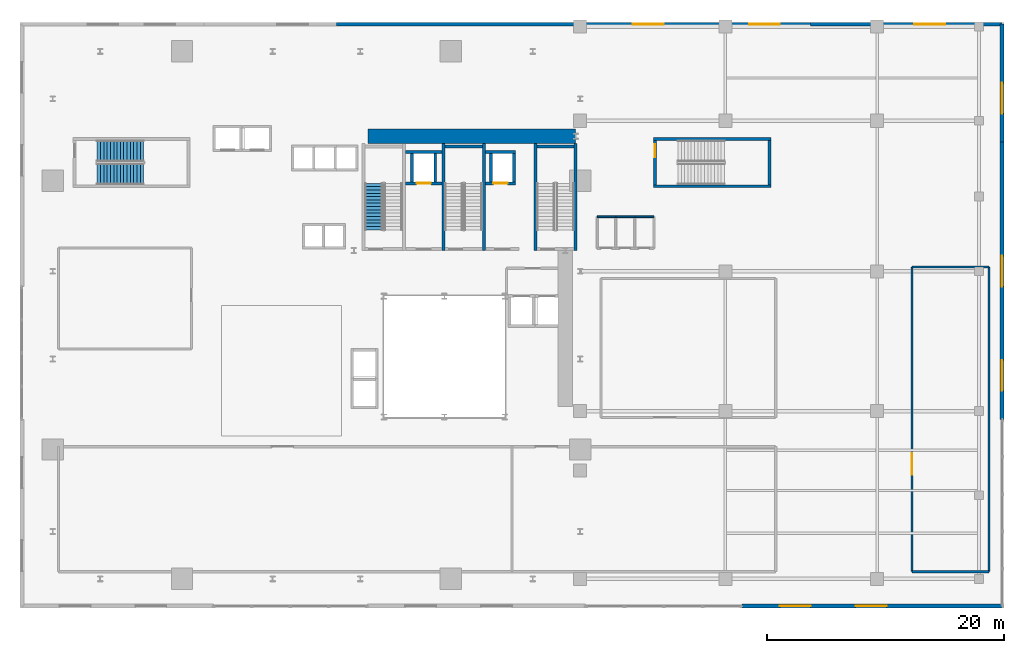
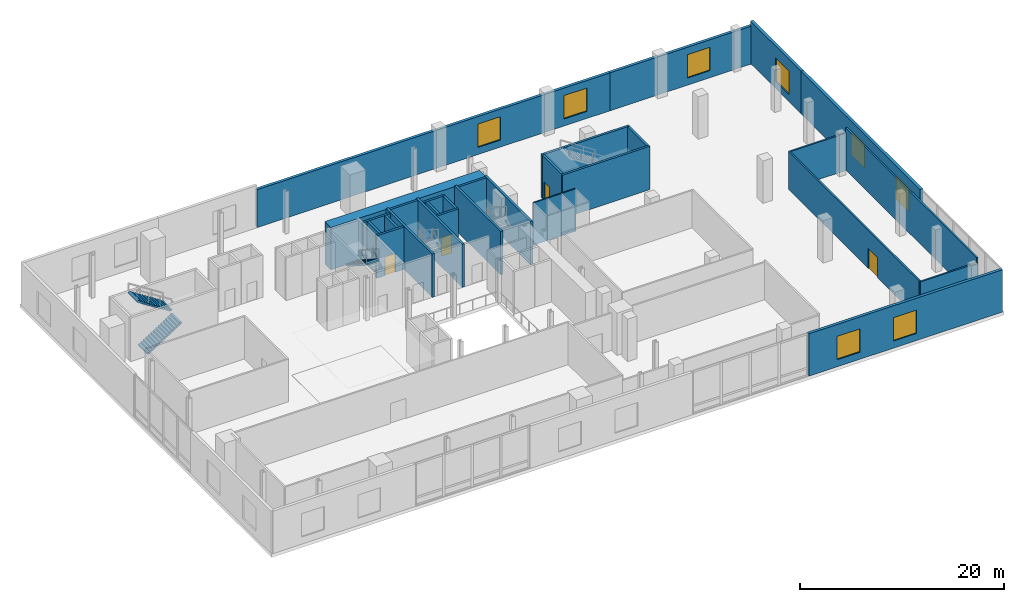
# One storey, part 8 of 12: 31 walls, 8 windows, 4 doors, 3 stair flights, 12 openings, 2 elements without a shape of their own.
"""IFC4 building model written with IfcOpenShell, lengths in metres."""

from ifc_helpers import new_model, si_unit, direction, frame, frame_2d, origin, place, context, subcontext, project, spatial, polyline, rectangle, outline, extrude, source, transform, mapped, material, layer, layer_set, type_object, element, fill, aggregate, save


model = new_model("IFC4")

# Units and contexts
model_context = context("Model", 3, precision=1e-05, world=origin(), true_north=direction((0.0, 1.0)))
body_context = subcontext(model_context, "Body", "Model", "MODEL_VIEW")
ifc_project = project(units=[si_unit("LENGTHUNIT", "METRE"), si_unit("AREAUNIT", "SQUARE_METRE"), si_unit("VOLUMEUNIT", "CUBIC_METRE"), si_unit("PLANEANGLEUNIT", "RADIAN"), si_unit("MASSUNIT", "GRAM", prefix="KILO")], contexts=[model_context])

# Site, building, storey
site_placement = place(None, origin())
site = spatial("IfcSite", under=ifc_project, at=site_placement, CompositionType="ELEMENT")
building_placement = place(site_placement, origin())
building = spatial("IfcBuilding", under=site, at=building_placement, Name="Vardaveli Station Tower", CompositionType="ELEMENT")
storey_placement = place(building_placement, frame((0.0, 0.0, 17.0)))
storey = spatial("IfcBuildingStorey", under=building, at=storey_placement, Name="L04", CompositionType="ELEMENT", Elevation=17.0)

# Wall
ifc_material_1 = material(Name="Concrete C70/85", Category="concrete")
ifc_layer_1 = layer(ifc_material_1, 1.199951171875, Name="Concrete C70/85")
ifc_layer_set_1 = layer_set([ifc_layer_1], Name="Concrete C70/85")
wall_type_1 = type_object("IfcWallType", Name="WAL-CORE-1200", PredefinedType="SHEAR", material=ifc_layer_set_1)
shared_shape_1 = source(origin(), body_context, "Body", "SweptSolid", [
    extrude(rectangle(XDim=17.52001953125, YDim=1.199951171875, at=frame_2d((8.760009765625, 0.0))), origin(), (0.0, 0.0, 1.0), 5.080078125),
])
wall_1_placement = place(storey_placement, frame((29.85009765625, 40.300048828125, 0.0), z_axis=(0.0, 0.0, 1.0), x_axis=(1.0, 0.0, 0.0)))
element("IfcWall", 1, at=wall_1_placement, inside=storey, type_object=wall_type_1, Name="SW-L04-NORTH", PredefinedType="SHEAR", context=body_context, shape_type="MappedRepresentation", body=[
    mapped(shared_shape_1, transform((0.0, 0.0, 0.0), scale=1.0)),
])

# Wall, openings, windows
ifc_material_2 = material(Name="Precast concrete C45/55", Category="concrete")
ifc_layer_2 = layer(ifc_material_2, 0.320068359375, Name="Precast concrete C45/55")
ifc_layer_set_2 = layer_set([ifc_layer_2], Name="Precast concrete C45/55")
wall_type_2 = type_object("IfcWallType", Name="WAL-EXT-STONE-320", PredefinedType="SOLIDWALL", material=ifc_layer_set_2)
shared_shape_2 = source(origin(), body_context, "Body", "SweptSolid", [
    extrude(rectangle(XDim=21.9501953125, YDim=0.320068359375, at=frame_2d((10.97509765625, 0.0))), origin(), (0.0, 0.0, 1.0), 5.080078125),
])
wall_2_placement = place(storey_placement, frame((61.39990234375, 0.64990234375, 0.0), z_axis=(0.0, 0.0, 1.0), x_axis=(1.0, 0.0, 0.0)))
wall_2 = element("IfcWall", 2, at=wall_2_placement, inside=storey, type_object=wall_type_2, Name="EW-L04-S5", PredefinedType="SOLIDWALL", context=body_context, shape_type="MappedRepresentation", body=[
    mapped(shared_shape_2, transform((0.0, 0.0, 0.0), scale=1.0)),
])
shared_shape_3 = source(origin(), body_context, "Body", "SweptSolid", [
    extrude(rectangle(XDim=2.60009765625, YDim=2.800048828125, at=frame_2d((1.300048828125, 1.39990234375))), frame((0.0, 0.169921875, 0.0), z_axis=(0.0, -1.0, 0.0), x_axis=(1.0, 0.0, 0.0)), (0.0, 0.0, 1.0), 0.340087890625),
])
opening_1_placement = place(wall_2_placement, frame((3.199951171875, 0.0, 0.85009765625)))
opening_1 = element("IfcOpeningElement", 3, at=opening_1_placement, cuts=wall_2, Name="Opening W-02", PredefinedType="OPENING", context=body_context, shape_type="MappedRepresentation", body=[
    mapped(shared_shape_3, transform((0.0, 0.0, 0.0), scale=1.0)),
])
opening_2_placement = place(wall_2_placement, frame((9.60009765625, 0.0, 0.85009765625)))
opening_2 = element("IfcOpeningElement", 4, at=opening_2_placement, cuts=wall_2, Name="Opening W-02", PredefinedType="OPENING", context=body_context, shape_type="MappedRepresentation", body=[
    mapped(shared_shape_3, transform((0.0, 0.0, 0.0), scale=1.0)),
])
ifc_material_3 = material(Name="Low-E solar-control glass", Category="glass")
window_type = type_object("IfcWindowType", Name="WIN-POD-2600x2800", PartitioningType="SINGLE_PANEL", PredefinedType="WINDOW", material=ifc_material_3)
shared_shape_4 = source(origin(), body_context, "Body", "SweptSolid", [
    extrude(rectangle(XDim=2.60009765625, YDim=2.800048828125, at=frame_2d((1.300048828125, 1.39990234375))), frame((0.0, 0.030029296875, 0.0), z_axis=(0.0, -1.0, 0.0), x_axis=(1.0, 0.0, 0.0)), (0.0, 0.0, 1.0), 0.06005859375),
])
window_1_placement = place(opening_1_placement, origin())
window_1 = element("IfcWindow", 5, at=window_1_placement, inside=storey, type_object=window_type, Name="WN-L04-S5A", OverallHeight=2.800048828125, OverallWidth=2.60009765625, PartitioningType="SINGLE_PANEL", PredefinedType="WINDOW", context=body_context, shape_type="MappedRepresentation", body=[
    mapped(shared_shape_4, transform((0.0, 0.0, 0.0), scale=1.0)),
])
fill(opening_1, window_1)
window_2_placement = place(opening_2_placement, origin())
window_2 = element("IfcWindow", 6, at=window_2_placement, inside=storey, type_object=window_type, Name="WN-L04-S5B", OverallHeight=2.800048828125, OverallWidth=2.60009765625, PartitioningType="SINGLE_PANEL", PredefinedType="WINDOW", context=body_context, shape_type="MappedRepresentation", body=[
    mapped(shared_shape_4, transform((0.0, 0.0, 0.0), scale=1.0)),
])
fill(opening_2, window_2)

shared_shape_5 = source(origin(), body_context, "Body", "SweptSolid", [
    extrude(rectangle(XDim=40.0, YDim=0.320068359375, at=frame_2d((20.0, 0.0))), origin(), (0.0, 0.0, 1.0), 4.551025390625),
])
wall_3_placement = place(storey_placement, frame((67.199951171875, 49.75, 0.0), z_axis=(0.0, 0.0, 1.0), x_axis=(-1.0, 0.0, 0.0)))
wall_3 = element("IfcWall", 7, at=wall_3_placement, inside=storey, type_object=wall_type_2, Name="EW-L04-N3", PredefinedType="SOLIDWALL", context=body_context, shape_type="MappedRepresentation", body=[
    mapped(shared_shape_5, transform((0.0, 0.0, 0.0), scale=1.0)),
])
opening_3_placement = place(wall_3_placement, frame((2.60009765625, 0.0, 0.85009765625)))
opening_3 = element("IfcOpeningElement", 8, at=opening_3_placement, cuts=wall_3, Name="Opening W-02", PredefinedType="OPENING", context=body_context, shape_type="MappedRepresentation", body=[
    mapped(shared_shape_3, transform((0.0, 0.0, 0.0), scale=1.0)),
])
opening_4_placement = place(wall_3_placement, frame((12.39990234375, 0.0, 0.85009765625)))
opening_4 = element("IfcOpeningElement", 9, at=opening_4_placement, cuts=wall_3, Name="Opening W-02", PredefinedType="OPENING", context=body_context, shape_type="MappedRepresentation", body=[
    mapped(shared_shape_3, transform((0.0, 0.0, 0.0), scale=1.0)),
])
window_3_placement = place(opening_3_placement, origin())
window_3 = element("IfcWindow", 10, at=window_3_placement, inside=storey, type_object=window_type, Name="WN-L04-N3A", OverallHeight=2.800048828125, OverallWidth=2.60009765625, PartitioningType="SINGLE_PANEL", PredefinedType="WINDOW", context=body_context, shape_type="MappedRepresentation", body=[
    mapped(shared_shape_4, transform((0.0, 0.0, 0.0), scale=1.0)),
])
fill(opening_3, window_3)
window_4_placement = place(opening_4_placement, origin())
window_4 = element("IfcWindow", 11, at=window_4_placement, inside=storey, type_object=window_type, Name="WN-L04-N3B", OverallHeight=2.800048828125, OverallWidth=2.60009765625, PartitioningType="SINGLE_PANEL", PredefinedType="WINDOW", context=body_context, shape_type="MappedRepresentation", body=[
    mapped(shared_shape_4, transform((0.0, 0.0, 0.0), scale=1.0)),
])
fill(opening_4, window_4)

# Wall, opening, window
shared_shape_6 = source(origin(), body_context, "Body", "SweptSolid", [
    extrude(rectangle(XDim=16.150146484375, YDim=0.320068359375, at=frame_2d((8.0751953125, 0.0))), origin(), (0.0, 0.0, 1.0), 4.551025390625),
])
wall_4_placement = place(storey_placement, frame((83.35009765625, 49.75, 0.0), z_axis=(0.0, 0.0, 1.0), x_axis=(-1.0, 0.0, 0.0)))
wall_4 = element("IfcWall", 12, at=wall_4_placement, inside=storey, type_object=wall_type_2, Name="EW-L04-N4", PredefinedType="SOLIDWALL", context=body_context, shape_type="MappedRepresentation", body=[
    mapped(shared_shape_6, transform((0.0, 0.0, 0.0), scale=1.0)),
])
opening_5_placement = place(wall_4_placement, frame((4.800048828125, 0.0, 0.85009765625)))
opening_5 = element("IfcOpeningElement", 13, at=opening_5_placement, cuts=wall_4, Name="Opening W-02", PredefinedType="OPENING", context=body_context, shape_type="MappedRepresentation", body=[
    mapped(shared_shape_3, transform((0.0, 0.0, 0.0), scale=1.0)),
])
window_5_placement = place(opening_5_placement, origin())
window_5 = element("IfcWindow", 14, at=window_5_placement, inside=storey, type_object=window_type, Name="WN-L04-N4A", OverallHeight=2.800048828125, OverallWidth=2.60009765625, PartitioningType="SINGLE_PANEL", PredefinedType="WINDOW", context=body_context, shape_type="MappedRepresentation", body=[
    mapped(shared_shape_4, transform((0.0, 0.0, 0.0), scale=1.0)),
])
fill(opening_5, window_5)

# Wall, openings, windows
shared_shape_7 = source(origin(), body_context, "Body", "SweptSolid", [
    extrude(rectangle(XDim=23.400146484375, YDim=0.320068359375, at=frame_2d((11.7001953125, 0.0))), origin(), (0.0, 0.0, 1.0), 5.080078125),
])
wall_5_placement = place(storey_placement, frame((83.35009765625, 16.39990234375, 0.0), z_axis=(0.0, 0.0, 1.0), x_axis=(0.0, 1.0, 0.0)))
wall_5 = element("IfcWall", 15, at=wall_5_placement, inside=storey, type_object=wall_type_2, Name="EW-L04-E2", PredefinedType="SOLIDWALL", context=body_context, shape_type="MappedRepresentation", body=[
    mapped(shared_shape_7, transform((0.0, 0.0, 0.0), scale=1.0)),
])
opening_6_placement = place(wall_5_placement, frame((2.39990234375, 0.0, 0.85009765625)))
opening_6 = element("IfcOpeningElement", 16, at=opening_6_placement, cuts=wall_5, Name="Opening W-02", PredefinedType="OPENING", context=body_context, shape_type="MappedRepresentation", body=[
    mapped(shared_shape_3, transform((0.0, 0.0, 0.0), scale=1.0)),
])
opening_7_placement = place(wall_5_placement, frame((11.199951171875, 0.0, 0.85009765625)))
opening_7 = element("IfcOpeningElement", 17, at=opening_7_placement, cuts=wall_5, Name="Opening W-02", PredefinedType="OPENING", context=body_context, shape_type="MappedRepresentation", body=[
    mapped(shared_shape_3, transform((0.0, 0.0, 0.0), scale=1.0)),
])
window_6_placement = place(opening_6_placement, origin())
window_6 = element("IfcWindow", 18, at=window_6_placement, inside=storey, type_object=window_type, Name="WN-L04-E2A", OverallHeight=2.800048828125, OverallWidth=2.60009765625, PartitioningType="SINGLE_PANEL", PredefinedType="WINDOW", context=body_context, shape_type="MappedRepresentation", body=[
    mapped(shared_shape_4, transform((0.0, 0.0, 0.0), scale=1.0)),
])
fill(opening_6, window_6)
window_7_placement = place(opening_7_placement, origin())
window_7 = element("IfcWindow", 19, at=window_7_placement, inside=storey, type_object=window_type, Name="WN-L04-E2B", OverallHeight=2.800048828125, OverallWidth=2.60009765625, PartitioningType="SINGLE_PANEL", PredefinedType="WINDOW", context=body_context, shape_type="MappedRepresentation", body=[
    mapped(shared_shape_4, transform((0.0, 0.0, 0.0), scale=1.0)),
])
fill(opening_7, window_7)

# Wall, opening, window
shared_shape_8 = source(origin(), body_context, "Body", "SweptSolid", [
    extrude(rectangle(XDim=9.949951171875, YDim=0.320068359375, at=frame_2d((4.97509765625, 0.0))), origin(), (0.0, 0.0, 1.0), 5.080078125),
])
wall_6_placement = place(storey_placement, frame((83.35009765625, 39.800048828125, 0.0), z_axis=(0.0, 0.0, 1.0), x_axis=(0.0, 1.0, 0.0)))
wall_6 = element("IfcWall", 20, at=wall_6_placement, inside=storey, type_object=wall_type_2, Name="EW-L04-E3", PredefinedType="SOLIDWALL", context=body_context, shape_type="MappedRepresentation", body=[
    mapped(shared_shape_8, transform((0.0, 0.0, 0.0), scale=1.0)),
])
opening_8_placement = place(wall_6_placement, frame((2.39990234375, 0.0, 0.85009765625)))
opening_8 = element("IfcOpeningElement", 21, at=opening_8_placement, cuts=wall_6, Name="Opening W-02", PredefinedType="OPENING", context=body_context, shape_type="MappedRepresentation", body=[
    mapped(shared_shape_3, transform((0.0, 0.0, 0.0), scale=1.0)),
])
window_8_placement = place(opening_8_placement, origin())
window_8 = element("IfcWindow", 22, at=window_8_placement, inside=storey, type_object=window_type, Name="WN-L04-E3A", OverallHeight=2.800048828125, OverallWidth=2.60009765625, PartitioningType="SINGLE_PANEL", PredefinedType="WINDOW", context=body_context, shape_type="MappedRepresentation", body=[
    mapped(shared_shape_4, transform((0.0, 0.0, 0.0), scale=1.0)),
])
fill(opening_8, window_8)

# Walls
ifc_material_4 = material(Name="Concrete C40/50", Category="concrete")
ifc_layer_3 = layer(ifc_material_4, 0.25, Name="Concrete C40/50")
ifc_layer_set_3 = layer_set([ifc_layer_3], Name="Concrete C40/50")
wall_type_3 = type_object("IfcWallType", Name="WAL-SHAFT-250", PredefinedType="SOLIDWALL", material=ifc_layer_set_3)
shared_shape_9 = source(origin(), body_context, "Body", "SweptSolid", [
    extrude(rectangle(XDim=9.050048828125, YDim=0.25, at=frame_2d((4.52490234375, 0.0))), origin(), (0.0, 0.0, 1.0), 5.199951171875),
])
for number, where, z_axis, x_axis, name in (
    (23, (36.22509765625, 30.64990234375, 0.0), (0.0, 0.0, 1.0), (0.0, 1.0, 0.0), "W-L04-ST-2W"),
    (24, (39.625, 30.64990234375, 0.0), (0.0, 0.0, 1.0), (0.0, 1.0, 0.0), "W-L04-ST-2E"),
    (25, (43.97509765625, 30.64990234375, 0.0), (0.0, 0.0, 1.0), (0.0, 1.0, 0.0), "W-L04-ST-3W"),
    (26, (47.375, 30.64990234375, 0.0), (0.0, 0.0, 1.0), (0.0, 1.0, 0.0), "W-L04-ST-3E"),
):
    element("IfcWall", number, at=place(storey_placement, frame(where, z_axis=z_axis, x_axis=x_axis)), inside=storey, type_object=wall_type_3, Name=name, PredefinedType="SOLIDWALL", context=body_context, shape_type="MappedRepresentation", body=[
        mapped(shared_shape_9, transform((0.0, 0.0, 0.0), scale=1.0)),
    ])
shared_shape_10 = source(origin(), body_context, "Body", "SweptSolid", [
    extrude(rectangle(XDim=3.14990234375, YDim=0.25, at=frame_2d((1.574951171875, 0.0))), origin(), (0.0, 0.0, 1.0), 5.199951171875),
])
for number, where, z_axis, x_axis, name in (
    (27, (36.35009765625, 39.425048828125, 0.0), (0.0, 0.0, 1.0), (1.0, 0.0, 0.0), "W-L04-ST-2N"),
    (28, (44.10009765625, 39.425048828125, 0.0), (0.0, 0.0, 1.0), (1.0, 0.0, 0.0), "W-L04-ST-3N"),
):
    element("IfcWall", number, at=place(storey_placement, frame(where, z_axis=z_axis, x_axis=x_axis)), inside=storey, type_object=wall_type_3, Name=name, PredefinedType="SOLIDWALL", context=body_context, shape_type="MappedRepresentation", body=[
        mapped(shared_shape_10, transform((0.0, 0.0, 0.0), scale=1.0)),
    ])
shared_shape_11 = source(origin(), body_context, "Body", "SweptSolid", [
    extrude(rectangle(XDim=9.900146484375, YDim=0.25, at=frame_2d((4.9501953125, 0.0))), origin(), (0.0, 0.0, 1.0), 5.199951171875),
])
for number, where, z_axis, x_axis, name in (
    (29, (53.949951171875, 36.074951171875, 0.0), (0.0, 0.0, 1.0), (1.0, 0.0, 0.0), "W-L04-ST-P2S"),
    (30, (53.949951171875, 40.074951171875, 0.0), (0.0, 0.0, 1.0), (1.0, 0.0, 0.0), "W-L04-ST-P2N"),
):
    element("IfcWall", number, at=place(storey_placement, frame(where, z_axis=z_axis, x_axis=x_axis)), inside=storey, type_object=wall_type_3, Name=name, PredefinedType="SOLIDWALL", context=body_context, shape_type="MappedRepresentation", body=[
        mapped(shared_shape_11, transform((0.0, 0.0, 0.0), scale=1.0)),
    ])
shared_shape_12 = source(origin(), body_context, "Body", "SweptSolid", [
    extrude(rectangle(XDim=3.75, YDim=0.25, at=frame_2d((1.875, 0.0))), origin(), (0.0, 0.0, 1.0), 5.199951171875),
])
wall_7_placement = place(storey_placement, frame((63.72509765625, 36.199951171875, 0.0), z_axis=(0.0, 0.0, 1.0), x_axis=(0.0, 1.0, 0.0)))
element("IfcWall", 31, at=wall_7_placement, inside=storey, type_object=wall_type_3, Name="W-L04-ST-P2E", PredefinedType="SOLIDWALL", context=body_context, shape_type="MappedRepresentation", body=[
    mapped(shared_shape_12, transform((0.0, 0.0, 0.0), scale=1.0)),
])

# Wall, opening, door
wall_8_placement = place(storey_placement, frame((54.074951171875, 36.199951171875, 0.0), z_axis=(0.0, 0.0, 1.0), x_axis=(0.0, 1.0, 0.0)))
wall_8 = element("IfcWall", 32, at=wall_8_placement, inside=storey, type_object=wall_type_3, Name="W-L04-ST-P2W", PredefinedType="SOLIDWALL", context=body_context, shape_type="MappedRepresentation", body=[
    mapped(shared_shape_12, transform((0.0, 0.0, 0.0), scale=1.0)),
])
shared_shape_13 = source(origin(), body_context, "Body", "SweptSolid", [
    extrude(rectangle(XDim=1.10009765625, YDim=2.199951171875, at=frame_2d((0.550048828125, 1.10009765625))), frame((0.0, 0.135009765625, 0.0), z_axis=(0.0, -1.0, 0.0), x_axis=(1.0, 0.0, 0.0)), (0.0, 0.0, 1.0), 0.27001953125),
])
opening_9_placement = place(wall_8_placement, frame((2.300048828125, 0.0, 0.0)))
opening_9 = element("IfcOpeningElement", 33, at=opening_9_placement, cuts=wall_8, Name="Opening D-04", PredefinedType="OPENING", context=body_context, shape_type="MappedRepresentation", body=[
    mapped(shared_shape_13, transform((0.0, 0.0, 0.0), scale=1.0)),
])
ifc_material_5 = material(Name="Steel smokeproof fire doorset", Category="steel")
door_type_1 = type_object("IfcDoorType", Name="DR-ST-1100x2200", OperationType="NOTDEFINED", PredefinedType="DOOR", material=ifc_material_5)
shared_shape_14 = source(origin(), body_context, "Body", "SweptSolid", [
    extrude(rectangle(XDim=1.10009765625, YDim=2.199951171875, at=frame_2d((0.550048828125, 1.10009765625))), frame((0.0, 0.02490234375, 0.0), z_axis=(0.0, -1.0, 0.0), x_axis=(1.0, 0.0, 0.0)), (0.0, 0.0, 1.0), 0.050048828125),
])
door_1_placement = place(opening_9_placement, origin())
door_1 = element("IfcDoor", 34, at=door_1_placement, inside=storey, type_object=door_type_1, Name="DST-P2-L04", OperationType="SINGLE_SWING_RIGHT", OverallHeight=2.199951171875, OverallWidth=1.10009765625, PredefinedType="DOOR", context=body_context, shape_type="MappedRepresentation", body=[
    mapped(shared_shape_14, transform((0.0, 0.0, 0.0), scale=1.0)),
])
fill(opening_9, door_1)

shared_shape_15 = source(origin(), body_context, "Body", "SweptSolid", [
    extrude(rectangle(XDim=3.10009765625, YDim=0.25, at=frame_2d((1.550048828125, 0.0))), origin(), (0.0, 0.0, 1.0), 5.080078125),
])
wall_9_placement = place(storey_placement, frame((33.0, 36.324951171875, 0.0), z_axis=(0.0, 0.0, 1.0), x_axis=(1.0, 0.0, 0.0)))
wall_9 = element("IfcWall", 35, at=wall_9_placement, inside=storey, type_object=wall_type_3, Name="SHW-FFL-01-L04-S", PredefinedType="SOLIDWALL", context=body_context, shape_type="MappedRepresentation", body=[
    mapped(shared_shape_15, transform((0.0, 0.0, 0.0), scale=1.0)),
])
shared_shape_16 = source(origin(), body_context, "Body", "SweptSolid", [
    extrude(rectangle(XDim=1.199951171875, YDim=2.25, at=frame_2d((0.60009765625, 1.125))), frame((0.0, 0.135009765625, 0.0), z_axis=(0.0, -1.0, 0.0), x_axis=(1.0, 0.0, 0.0)), (0.0, 0.0, 1.0), 0.27001953125),
])
opening_10_placement = place(wall_9_placement, frame((0.949951171875, 0.0, 0.0)))
opening_10 = element("IfcOpeningElement", 36, at=opening_10_placement, cuts=wall_9, Name="Opening LD-02", PredefinedType="OPENING", context=body_context, shape_type="MappedRepresentation", body=[
    mapped(shared_shape_16, transform((0.0, 0.0, 0.0), scale=1.0)),
])
ifc_material_6 = material(Name="Brushed stainless steel", Category="steel")
door_type_2 = type_object("IfcDoorType", Name="DR-LD-1200x2250", OperationType="DOUBLE_DOOR_SLIDING", PredefinedType="DOOR", material=ifc_material_6)
shared_shape_17 = source(origin(), body_context, "Body", "SweptSolid", [
    extrude(rectangle(XDim=1.199951171875, YDim=2.25, at=frame_2d((0.60009765625, 1.125))), frame((0.0, 0.02490234375, 0.0), z_axis=(0.0, -1.0, 0.0), x_axis=(1.0, 0.0, 0.0)), (0.0, 0.0, 1.0), 0.050048828125),
])
door_2_placement = place(opening_10_placement, origin())
door_2 = element("IfcDoor", 37, at=door_2_placement, inside=storey, type_object=door_type_2, Name="LD-FFL-01-L04", OperationType="DOUBLE_DOOR_SLIDING", OverallHeight=2.25, OverallWidth=1.199951171875, PredefinedType="DOOR", context=body_context, shape_type="MappedRepresentation", body=[
    mapped(shared_shape_17, transform((0.0, 0.0, 0.0), scale=1.0)),
])
fill(opening_10, door_2)

# Walls
wall_10_placement = place(storey_placement, frame((33.0, 38.97509765625, 0.0), z_axis=(0.0, 0.0, 1.0), x_axis=(1.0, 0.0, 0.0)))
element("IfcWall", 38, at=wall_10_placement, inside=storey, type_object=wall_type_3, Name="SHW-FFL-01-L04-N", PredefinedType="SOLIDWALL", context=body_context, shape_type="MappedRepresentation", body=[
    mapped(shared_shape_15, transform((0.0, 0.0, 0.0), scale=1.0)),
])
shared_shape_18 = source(origin(), body_context, "Body", "SweptSolid", [
    extrude(rectangle(XDim=2.400146484375, YDim=0.25, at=frame_2d((1.2001953125, 0.0))), origin(), (0.0, 0.0, 1.0), 5.080078125),
])
for number, where, z_axis, x_axis, name in (
    (39, (33.574951171875, 36.449951171875, 0.0), (0.0, 0.0, 1.0), (0.0, 1.0, 0.0), "SHW-FFL-01-L04-W"),
    (40, (35.52490234375, 36.449951171875, 0.0), (0.0, 0.0, 1.0), (0.0, 1.0, 0.0), "SHW-FFL-01-L04-E"),
    (41, (40.22509765625, 36.449951171875, 0.0), (0.0, 0.0, 1.0), (0.0, 1.0, 0.0), "SHW-FFL-02-L04-W"),
    (42, (42.175048828125, 36.449951171875, 0.0), (0.0, 0.0, 1.0), (0.0, 1.0, 0.0), "SHW-FFL-02-L04-E"),
):
    element("IfcWall", number, at=place(storey_placement, frame(where, z_axis=z_axis, x_axis=x_axis)), inside=storey, type_object=wall_type_3, Name=name, PredefinedType="SOLIDWALL", context=body_context, shape_type="MappedRepresentation", body=[
        mapped(shared_shape_18, transform((0.0, 0.0, 0.0), scale=1.0)),
    ])

# Wall, opening, door
shared_shape_19 = source(origin(), body_context, "Body", "SweptSolid", [
    extrude(rectangle(XDim=2.550048828125, YDim=0.25, at=frame_2d((1.27490234375, 0.0))), origin(), (0.0, 0.0, 1.0), 5.080078125),
])
wall_11_placement = place(storey_placement, frame((39.75, 36.324951171875, 0.0), z_axis=(0.0, 0.0, 1.0), x_axis=(1.0, 0.0, 0.0)))
wall_11 = element("IfcWall", 43, at=wall_11_placement, inside=storey, type_object=wall_type_3, Name="SHW-FFL-02-L04-S", PredefinedType="SOLIDWALL", context=body_context, shape_type="MappedRepresentation", body=[
    mapped(shared_shape_19, transform((0.0, 0.0, 0.0), scale=1.0)),
])
opening_11_placement = place(wall_11_placement, frame((0.675048828125, 0.0, 0.0)))
opening_11 = element("IfcOpeningElement", 44, at=opening_11_placement, cuts=wall_11, Name="Opening LD-02", PredefinedType="OPENING", context=body_context, shape_type="MappedRepresentation", body=[
    mapped(shared_shape_16, transform((0.0, 0.0, 0.0), scale=1.0)),
])
door_3_placement = place(opening_11_placement, origin())
door_3 = element("IfcDoor", 45, at=door_3_placement, inside=storey, type_object=door_type_2, Name="LD-FFL-02-L04", OperationType="DOUBLE_DOOR_SLIDING", OverallHeight=2.25, OverallWidth=1.199951171875, PredefinedType="DOOR", context=body_context, shape_type="MappedRepresentation", body=[
    mapped(shared_shape_17, transform((0.0, 0.0, 0.0), scale=1.0)),
])
fill(opening_11, door_3)

# Wall
wall_12_placement = place(storey_placement, frame((39.75, 38.97509765625, 0.0), z_axis=(0.0, 0.0, 1.0), x_axis=(1.0, 0.0, 0.0)))
element("IfcWall", 46, at=wall_12_placement, inside=storey, type_object=wall_type_3, Name="SHW-FFL-02-L04-N", PredefinedType="SOLIDWALL", context=body_context, shape_type="MappedRepresentation", body=[
    mapped(shared_shape_19, transform((0.0, 0.0, 0.0), scale=1.0)),
])

# Wall, opening, door
ifc_material_7 = material(Name="Fire-rated gypsum stud partition")
ifc_layer_4 = layer(ifc_material_7, 0.179931640625, Name="Fire-rated gypsum stud partition")
ifc_layer_set_4 = layer_set([ifc_layer_4], Name="Fire-rated gypsum stud partition")
wall_type_4 = type_object("IfcWallType", Name="WAL-CORR-180", PredefinedType="PARTITIONING", material=ifc_layer_set_4)
shared_shape_20 = source(origin(), body_context, "Body", "SweptSolid", [
    extrude(rectangle(XDim=25.699951171875, YDim=0.179931640625, at=frame_2d((12.85009765625, 0.0))), origin(), (0.0, 0.0, 1.0), 4.548095703125),
])
wall_13_placement = place(storey_placement, frame((75.75, 3.550048828125, 0.0), z_axis=(0.0, 0.0, 1.0), x_axis=(0.0, 1.0, 0.0)))
wall_13 = element("IfcWall", 47, at=wall_13_placement, inside=storey, type_object=wall_type_4, Name="W-L04-MN5-W", PredefinedType="PARTITIONING", context=body_context, shape_type="MappedRepresentation", body=[
    mapped(shared_shape_20, transform((0.0, 0.0, 0.0), scale=1.0)),
])
shared_shape_21 = source(origin(), body_context, "Body", "SweptSolid", [
    extrude(rectangle(XDim=1.800048828125, YDim=2.39990234375, at=frame_2d((0.89990234375, 1.199951171875))), frame((0.0, 0.10009765625, 0.0), z_axis=(0.0, -1.0, 0.0), x_axis=(1.0, 0.0, 0.0)), (0.0, 0.0, 1.0), 0.199951171875),
])
opening_12_placement = place(wall_13_placement, frame((8.199951171875, 0.0, 0.0)))
opening_12 = element("IfcOpeningElement", 48, at=opening_12_placement, cuts=wall_13, Name="Opening D-01", PredefinedType="OPENING", context=body_context, shape_type="MappedRepresentation", body=[
    mapped(shared_shape_21, transform((0.0, 0.0, 0.0), scale=1.0)),
])
ifc_material_8 = material(Name="Acoustic hardwood fire doorset", Category="wood")
door_type_3 = type_object("IfcDoorType", Name="DR-BALL-1800x2400", OperationType="DOUBLE_DOOR_SINGLE_SWING", PredefinedType="DOOR", material=ifc_material_8)
shared_shape_22 = source(origin(), body_context, "Body", "SweptSolid", [
    extrude(rectangle(XDim=1.800048828125, YDim=2.39990234375, at=frame_2d((0.89990234375, 1.199951171875))), frame((0.0, 0.02490234375, 0.0), z_axis=(0.0, -1.0, 0.0), x_axis=(1.0, 0.0, 0.0)), (0.0, 0.0, 1.0), 0.050048828125),
])
door_4_placement = place(opening_12_placement, origin())
door_4 = element("IfcDoor", 49, at=door_4_placement, inside=storey, type_object=door_type_3, Name="D-L04-5", OperationType="DOUBLE_DOOR_SINGLE_SWING", OverallHeight=2.39990234375, OverallWidth=1.800048828125, PredefinedType="DOOR", context=body_context, shape_type="MappedRepresentation", body=[
    mapped(shared_shape_22, transform((0.0, 0.0, 0.0), scale=1.0)),
])
fill(opening_12, door_4)

# Walls
ifc_material_9 = material(Name="Moisture-resistant stud partition")
ifc_layer_5 = layer(ifc_material_9, 0.14990234375, Name="Moisture-resistant stud partition")
ifc_layer_set_5 = layer_set([ifc_layer_5], Name="Moisture-resistant stud partition")
wall_type_5 = type_object("IfcWallType", Name="WAL-WET-150", PredefinedType="PARTITIONING", material=ifc_layer_set_5)
shared_shape_23 = source(origin(), body_context, "Body", "SweptSolid", [
    extrude(rectangle(XDim=1.619873046875, YDim=0.14990234375, at=frame_2d((0.81005859375, 0.0))), origin(), (0.0, 0.0, 1.0), 5.080078125),
])
wall_14_placement = place(storey_placement, frame((52.360107421875, 33.5, 0.0), z_axis=(0.0, 0.0, 1.0), x_axis=(1.0, 0.0, 0.0)))
element("IfcWall", 50, at=wall_14_placement, inside=storey, type_object=wall_type_5, Name="W-L04-WCF-N", PredefinedType="PARTITIONING", context=body_context, shape_type="MappedRepresentation", body=[
    mapped(shared_shape_23, transform((0.0, 0.0, 0.0), scale=1.0)),
])
shared_shape_24 = source(origin(), body_context, "Body", "SweptSolid", [
    extrude(rectangle(XDim=1.610107421875, YDim=0.14990234375, at=frame_2d((0.80517578125, 0.0))), origin(), (0.0, 0.0, 1.0), 5.080078125),
])
wall_15_placement = place(storey_placement, frame((50.75, 33.5, 0.0), z_axis=(0.0, 0.0, 1.0), x_axis=(1.0, 0.0, 0.0)))
element("IfcWall", 51, at=wall_15_placement, inside=storey, type_object=wall_type_5, Name="W-L04-WCM-N", PredefinedType="PARTITIONING", context=body_context, shape_type="MappedRepresentation", body=[
    mapped(shared_shape_24, transform((0.0, 0.0, 0.0), scale=1.0)),
])
shared_shape_25 = source(origin(), body_context, "Body", "SweptSolid", [
    extrude(rectangle(XDim=1.550048828125, YDim=0.14990234375, at=frame_2d((0.77490234375, 0.0))), origin(), (0.0, 0.0, 1.0), 5.080078125),
])
wall_16_placement = place(storey_placement, frame((49.199951171875, 33.5, 0.0), z_axis=(0.0, 0.0, 1.0), x_axis=(1.0, 0.0, 0.0)))
element("IfcWall", 52, at=wall_16_placement, inside=storey, type_object=wall_type_5, Name="W-L04-WCA-N", PredefinedType="PARTITIONING", context=body_context, shape_type="MappedRepresentation", body=[
    mapped(shared_shape_25, transform((0.0, 0.0, 0.0), scale=1.0)),
])
shared_shape_26 = source(origin(), body_context, "Body", "SweptSolid", [
    extrude(rectangle(XDim=25.699951171875, YDim=0.179931640625, at=frame_2d((12.85009765625, 0.0))), origin(), (0.0, 0.0, 1.0), 5.080078125),
])
wall_17_placement = place(storey_placement, frame((82.25, 3.550048828125, 0.0), z_axis=(0.0, 0.0, 1.0), x_axis=(0.0, 1.0, 0.0)))
element("IfcWall", 53, at=wall_17_placement, inside=storey, type_object=wall_type_4, Name="W-L04-MN5-E", PredefinedType="PARTITIONING", context=body_context, shape_type="MappedRepresentation", body=[
    mapped(shared_shape_26, transform((0.0, 0.0, 0.0), scale=1.0)),
])
shared_shape_27 = source(origin(), body_context, "Body", "SweptSolid", [
    extrude(rectangle(XDim=6.5, YDim=0.179931640625, at=frame_2d((3.25, 0.0))), origin(), (0.0, 0.0, 1.0), 4.471923828125),
])
for number, where, z_axis, x_axis, name in (
    (54, (75.75, 3.550048828125, 0.0), (0.0, 0.0, 1.0), (1.0, 0.0, 0.0), "W-L04-MN5-S"),
    (55, (75.75, 29.25, 0.0), (0.0, 0.0, 1.0), (1.0, 0.0, 0.0), "W-L04-MN5-N"),
):
    element("IfcWall", number, at=place(storey_placement, frame(where, z_axis=z_axis, x_axis=x_axis)), inside=storey, type_object=wall_type_4, Name=name, PredefinedType="PARTITIONING", context=body_context, shape_type="MappedRepresentation", body=[
        mapped(shared_shape_27, transform((0.0, 0.0, 0.0), scale=1.0)),
    ])

# Stair, stair flight
stair_type_1 = type_object("IfcStairType", Name="STR-CORE-1500", PredefinedType="HALF_TURN_STAIR", material=ifc_material_4)
stair_1_placement = place(storey_placement, origin())
stair_1 = element("IfcStair", 56, at=stair_1_placement, inside=storey, type_object=stair_type_1, Name="L04 ST-1", PredefinedType="HALF_TURN_STAIR")
stair_flight_type_1 = type_object("IfcStairFlightType", Name="SFL-CORE-1500", PredefinedType="STRAIGHT", material=ifc_material_4)
shared_shape_28 = source(origin(), body_context, "Body", "SweptSolid", [
    extrude(outline(polyline([(0.0, 0.0), (0.0, 0.179931640625), (0.280029296875, 0.179931640625), (0.280029296875, 0.360107421875), (0.56005859375, 0.360107421875), (0.56005859375, 0.5400390625), (0.840087890625, 0.5400390625), (0.840087890625, 0.719970703125), (1.1201171875, 0.719970703125), (1.1201171875, 0.89990234375), (1.39990234375, 0.89990234375), (1.39990234375, 1.080078125), (1.679931640625, 1.080078125), (1.679931640625, 1.260009765625), (1.9599609375, 1.260009765625), (1.9599609375, 1.43994140625), (2.239990234375, 1.43994140625), (2.239990234375, 1.6201171875), (2.52001953125, 1.6201171875), (2.52001953125, 1.800048828125), (2.800048828125, 1.800048828125), (2.800048828125, 1.97998046875), (3.080078125, 1.97998046875), (3.080078125, 2.159912109375), (3.360107421875, 2.159912109375), (3.360107421875, 2.340087890625), (3.639892578125, 2.340087890625), (3.639892578125, 2.52001953125), (3.919921875, 2.52001953125), (3.919921875, 2.699951171875), (3.919921875, 2.341796875), (0.277099609375, 0.0), (0.0, 0.0)])), frame((0.0, 0.75, 0.0), z_axis=(0.0, -1.0, 0.0), x_axis=(1.0, 0.0, 0.0)), (0.0, 0.0, 1.0), 1.5),
])
stair_flight_1_placement = place(storey_placement, frame((30.35009765625, 36.320068359375, 2.699951171875), z_axis=(0.0, 0.0, 1.0), x_axis=(0.0, -1.0, 0.0)))
stair_flight_1 = element("IfcStairFlight", 57, at=stair_flight_1_placement, type_object=stair_flight_type_1, Name="ST-1 flight 2", NumberOfRisers=15, NumberOfTreads=14, PredefinedType="STRAIGHT", RiserHeight=0.18, TreadLength=0.28, context=body_context, shape_type="MappedRepresentation", body=[
    mapped(shared_shape_28, transform((0.0, 0.0, 0.0), scale=1.0)),
])
aggregate(stair_1, [stair_flight_1])

# Stair, stair flights
stair_type_2 = type_object("IfcStairType", Name="STR-POD-1800", PredefinedType="HALF_TURN_STAIR", material=ifc_material_4)
stair_2_placement = place(storey_placement, origin())
stair_2 = element("IfcStair", 58, at=stair_2_placement, inside=storey, type_object=stair_type_2, Name="L04 ST-P1", PredefinedType="HALF_TURN_STAIR")
stair_flight_type_2 = type_object("IfcStairFlightType", Name="SFL-POD-1800", PredefinedType="STRAIGHT", material=ifc_material_4)
shared_shape_29 = source(origin(), body_context, "Body", "SweptSolid", [
    extrude(outline(polyline([(0.0, 0.0), (0.0, 0.179931640625), (0.280029296875, 0.179931640625), (0.280029296875, 0.360107421875), (0.56005859375, 0.360107421875), (0.56005859375, 0.5400390625), (0.840087890625, 0.5400390625), (0.840087890625, 0.719970703125), (1.1201171875, 0.719970703125), (1.1201171875, 0.89990234375), (1.39990234375, 0.89990234375), (1.39990234375, 1.080078125), (1.679931640625, 1.080078125), (1.679931640625, 1.260009765625), (1.9599609375, 1.260009765625), (1.9599609375, 1.43994140625), (2.239990234375, 1.43994140625), (2.239990234375, 1.6201171875), (2.52001953125, 1.6201171875), (2.52001953125, 1.800048828125), (2.800048828125, 1.800048828125), (2.800048828125, 1.97998046875), (3.080078125, 1.97998046875), (3.080078125, 2.159912109375), (3.360107421875, 2.159912109375), (3.360107421875, 2.340087890625), (3.639892578125, 2.340087890625), (3.639892578125, 2.52001953125), (3.919921875, 2.52001953125), (3.919921875, 2.699951171875), (3.919921875, 2.341796875), (0.277099609375, 0.0), (0.0, 0.0)])), frame((0.0, 0.89990234375, 0.0), z_axis=(0.0, -1.0, 0.0), x_axis=(1.0, 0.0, 0.0)), (0.0, 0.0, 1.0), 1.800048828125),
])
stair_flight_2_placement = place(storey_placement, frame((7.0, 37.10009765625, 0.0), z_axis=(0.0, 0.0, 1.0), x_axis=(1.0, 0.0, 0.0)))
stair_flight_2 = element("IfcStairFlight", 59, at=stair_flight_2_placement, type_object=stair_flight_type_2, Name="ST-P1 flight 1", NumberOfRisers=15, NumberOfTreads=14, PredefinedType="STRAIGHT", RiserHeight=0.18, TreadLength=0.28, context=body_context, shape_type="MappedRepresentation", body=[
    mapped(shared_shape_29, transform((0.0, 0.0, 0.0), scale=1.0)),
])
stair_flight_3_placement = place(storey_placement, frame((10.919921875, 39.050048828125, 2.699951171875), z_axis=(0.0, 0.0, 1.0), x_axis=(-1.0, 0.0, 0.0)))
stair_flight_3 = element("IfcStairFlight", 60, at=stair_flight_3_placement, type_object=stair_flight_type_2, Name="ST-P1 flight 2", NumberOfRisers=15, NumberOfTreads=14, PredefinedType="STRAIGHT", RiserHeight=0.18, TreadLength=0.28, context=body_context, shape_type="MappedRepresentation", body=[
    mapped(shared_shape_29, transform((0.0, 0.0, 0.0), scale=1.0)),
])
aggregate(stair_2, [stair_flight_2, stair_flight_3])

save(model, "model.ifc")
